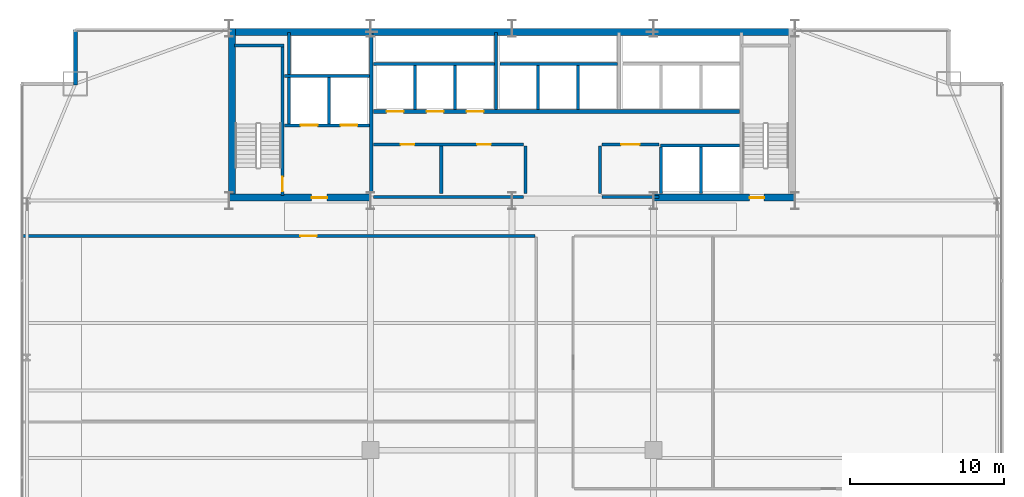
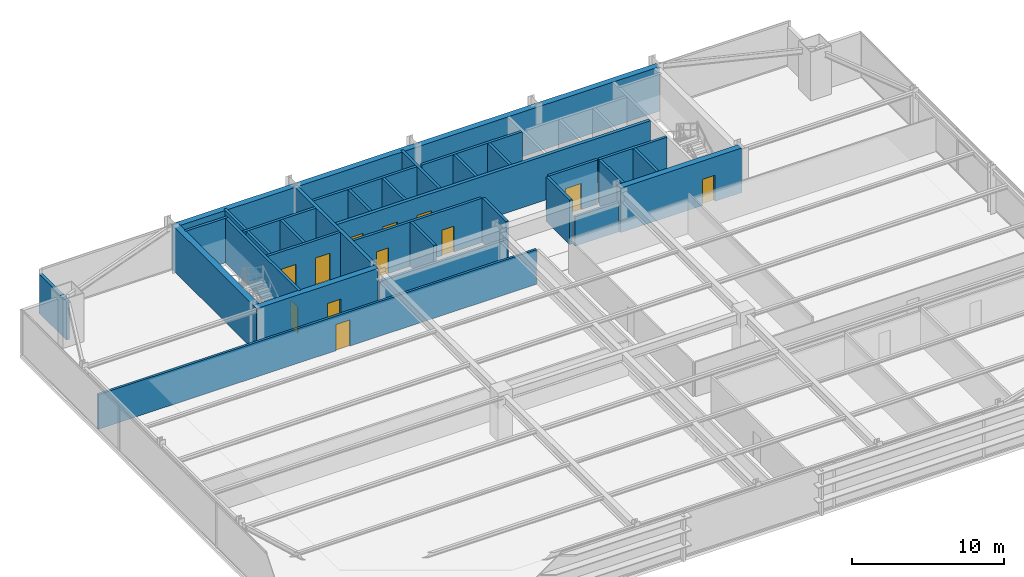
# One storey, part 29 of 32: 31 walls, 12 doors, 12 openings.
"""IFC4 building model written with IfcOpenShell, lengths in metres."""

from ifc_helpers import new_model, si_unit, direction, frame, frame_2d, origin, place, context, subcontext, project, spatial, rectangle, extrude, source, transform, mapped, material, layer, layer_set, type_object, type_shapes, element, fill, save


model = new_model("IFC4")

# Units and contexts
model_context = context("Model", 3, precision=1e-05, world=origin(), true_north=direction((0.0, 1.0)))
body_context = subcontext(model_context, "Body", "Model", "MODEL_VIEW")
ifc_project = project(units=[si_unit("LENGTHUNIT", "METRE"), si_unit("AREAUNIT", "SQUARE_METRE"), si_unit("VOLUMEUNIT", "CUBIC_METRE"), si_unit("PLANEANGLEUNIT", "RADIAN"), si_unit("MASSUNIT", "GRAM", prefix="KILO")], contexts=[model_context])

# Site, building, storey
site_placement = place(None, origin())
site = spatial("IfcSite", under=ifc_project, at=site_placement, CompositionType="ELEMENT")
building_placement = place(site_placement, origin())
building = spatial("IfcBuilding", under=site, at=building_placement, Name="Varnel Quay Broadcast Tower", CompositionType="ELEMENT")
storey_placement = place(building_placement, frame((0.0, 0.0, 78.300048828125)))
storey = spatial("IfcBuildingStorey", under=building, at=storey_placement, Name="L18", CompositionType="ELEMENT", Elevation=78.300048828125)

# Wall, opening, door
ifc_material_1 = material(Name="Concrete CSA A23.3 C50/60", Category="concrete")
ifc_layer_1 = layer(ifc_material_1, 0.199951171875, Name="Concrete CSA A23.3 C50/60")
ifc_layer_set_1 = layer_set([ifc_layer_1], Name="Concrete CSA A23.3 C50/60")
wall_type_1 = type_object("IfcWallType", Name="Wall_CoreShaftShear200", PredefinedType="SHEAR", material=ifc_layer_set_1)
wall_1_placement = place(storey_placement, frame((19.080078125, 35.949951171875, 0.0), z_axis=(0.0, 0.0, 1.0), x_axis=(0.0, 1.0, 0.0)))
wall_1 = element("IfcWall", 1, at=wall_1_placement, inside=storey, type_object=wall_type_1, Name="L18 Stair 1 East Structural Wall", PredefinedType="SHEAR", context=body_context, shape_type="SweptSolid", body=[
    extrude(rectangle(XDim=9.650146484375, YDim=0.199951171875, at=frame_2d((4.8251953125, 0.0))), origin(), (0.0, 0.0, 1.0), 3.579833984375),
])
opening_1_placement = place(wall_1_placement, frame((0.25, 0.0, 0.0)))
opening_1 = element("IfcOpeningElement", 2, at=opening_1_placement, cuts=wall_1, Name="Opening D-L18-S1", PredefinedType="OPENING", context=body_context, shape_type="SweptSolid", body=[
    extrude(rectangle(XDim=0.949951171875, YDim=2.10009765625, at=frame_2d((0.47509765625, 1.050048828125))), frame((0.0, 0.10986328125, 0.0), z_axis=(0.0, -1.0, 0.0), x_axis=(1.0, 0.0, 0.0)), (0.0, 0.0, 1.0), 0.219970703125),
])
ifc_material_2 = material(Name="Insulated Fire-Rated Hollow Steel Door", Category="steel")
door_type_1 = type_object("IfcDoorType", Name="Door_FireStair950", OperationType="NOTDEFINED", PredefinedType="DOOR", material=ifc_material_2)
shared_shape_1 = source(origin(), body_context, "Body", "SweptSolid", [
    extrude(rectangle(XDim=0.949951171875, YDim=2.10009765625, at=frame_2d((0.47509765625, 1.050048828125))), frame((0.0, 0.02490234375, 0.0), z_axis=(0.0, -1.0, 0.0), x_axis=(1.0, 0.0, 0.0)), (0.0, 0.0, 1.0), 0.050048828125),
])
type_shapes(door_type_1, [shared_shape_1])
door_1_placement = place(opening_1_placement, origin())
door_1 = element("IfcDoor", 3, at=door_1_placement, inside=storey, type_object=door_type_1, Name="L18 Stair 1 Fire Door", OperationType="SINGLE_SWING_RIGHT", OverallHeight=2.10009765625, OverallWidth=0.949951171875, PredefinedType="DOOR", context=body_context, shape_type="MappedRepresentation", body=[
    mapped(shared_shape_1, transform((0.0, 0.0, 0.0), x_axis=(1.0, 0.0, 0.0), y_axis=(0.0, 1.0, 0.0), z_axis=(0.0, 0.0, 1.0), scale=1.0)),
])
fill(opening_1, door_1)

# Wall
wall_2_placement = place(storey_placement, frame((15.949951171875, 45.679931640625, 0.0), z_axis=(0.0, 0.0, 1.0), x_axis=(1.0, 0.0, 0.0)))
element("IfcWall", 4, at=wall_2_placement, inside=storey, type_object=wall_type_1, Name="L18 Stair 1 North Structural Wall", PredefinedType="SHEAR", context=body_context, shape_type="SweptSolid", body=[
    extrude(rectangle(XDim=3.22998046875, YDim=0.199951171875, at=frame_2d((1.614990234375, 0.0))), origin(), (0.0, 0.0, 1.0), 3.579833984375),
])

# Wall, openings, doors
wall_3_placement = place(storey_placement, frame((19.199951171875, 40.5, 0.0), z_axis=(0.0, 0.0, 1.0), x_axis=(1.0, 0.0, 0.0)))
wall_3 = element("IfcWall", 5, at=wall_3_placement, inside=storey, type_object=wall_type_1, Name="L18 Firefighter Lift Shaft Front Wall", PredefinedType="SHEAR", context=body_context, shape_type="SweptSolid", body=[
    extrude(rectangle(XDim=5.52001953125, YDim=0.199951171875, at=frame_2d((2.760009765625, 0.0))), origin(), (0.0, 0.0, 1.0), 3.579833984375),
])
opening_2_placement = place(wall_3_placement, frame((1.050048828125, 0.0, 0.0)))
opening_2 = element("IfcOpeningElement", 6, at=opening_2_placement, cuts=wall_3, Name="Opening LD-L18-FE1", PredefinedType="OPENING", context=body_context, shape_type="SweptSolid", body=[
    extrude(rectangle(XDim=1.10009765625, YDim=2.179931640625, at=frame_2d((0.550048828125, 1.08984375))), frame((0.0, 0.10986328125, 0.0), z_axis=(0.0, -1.0, 0.0), x_axis=(1.0, 0.0, 0.0)), (0.0, 0.0, 1.0), 0.219970703125),
])
opening_3_placement = place(wall_3_placement, frame((3.64990234375, 0.0, 0.0)))
opening_3 = element("IfcOpeningElement", 7, at=opening_3_placement, cuts=wall_3, Name="Opening LD-L18-FE2", PredefinedType="OPENING", context=body_context, shape_type="SweptSolid", body=[
    extrude(rectangle(XDim=1.10009765625, YDim=2.179931640625, at=frame_2d((0.550048828125, 1.08984375))), frame((0.0, 0.10986328125, 0.0), z_axis=(0.0, -1.0, 0.0), x_axis=(1.0, 0.0, 0.0)), (0.0, 0.0, 1.0), 0.219970703125),
])
ifc_material_3 = material(Name="Brushed Bronze-Stainless Lift Car & Sliding Doors", Category="steel")
door_type_2 = type_object("IfcDoorType", Name="Door_LiftLanding1100", OperationType="SLIDING_TO_LEFT", PredefinedType="DOOR", material=ifc_material_3)
shared_shape_2 = source(origin(), body_context, "Body", "SweptSolid", [
    extrude(rectangle(XDim=1.10009765625, YDim=2.179931640625, at=frame_2d((0.550048828125, 1.08984375))), frame((0.0, 0.02490234375, 0.0), z_axis=(0.0, -1.0, 0.0), x_axis=(1.0, 0.0, 0.0)), (0.0, 0.0, 1.0), 0.050048828125),
])
type_shapes(door_type_2, [shared_shape_2])
door_2_placement = place(opening_2_placement, frame((1.10009765625, 0.0, 0.0), z_axis=(0.0, 0.0, 1.0), x_axis=(-1.0, 0.0, 0.0)))
door_2 = element("IfcDoor", 8, at=door_2_placement, inside=storey, type_object=door_type_2, Name="L18 Firefighter Lift FE-01 Landing Door", OperationType="SLIDING_TO_LEFT", OverallHeight=2.179931640625, OverallWidth=1.10009765625, PredefinedType="DOOR", context=body_context, shape_type="MappedRepresentation", body=[
    mapped(shared_shape_2, transform((0.0, 0.0, 0.0), x_axis=(1.0, 0.0, 0.0), y_axis=(0.0, 1.0, 0.0), z_axis=(0.0, 0.0, 1.0), scale=1.0)),
])
fill(opening_2, door_2)
door_3_placement = place(opening_3_placement, frame((1.10009765625, 0.0, 0.0), z_axis=(0.0, 0.0, 1.0), x_axis=(-1.0, 0.0, 0.0)))
door_3 = element("IfcDoor", 9, at=door_3_placement, inside=storey, type_object=door_type_2, Name="L18 Firefighter Lift FE-02 Landing Door", OperationType="SLIDING_TO_RIGHT", OverallHeight=2.179931640625, OverallWidth=1.10009765625, PredefinedType="DOOR", context=body_context, shape_type="MappedRepresentation", body=[
    mapped(shared_shape_2, transform((0.0, 0.0, 0.0), x_axis=(1.0, 0.0, 0.0), y_axis=(0.0, 1.0, 0.0), z_axis=(0.0, 0.0, 1.0), scale=1.0)),
])
fill(opening_3, door_3)

# Walls
wall_4_placement = place(storey_placement, frame((19.199951171875, 43.699951171875, 0.0), z_axis=(0.0, 0.0, 1.0), x_axis=(1.0, 0.0, 0.0)))
element("IfcWall", 10, at=wall_4_placement, inside=storey, type_object=wall_type_1, Name="L18 Firefighter Lift Shaft Rear Wall", PredefinedType="SHEAR", context=body_context, shape_type="SweptSolid", body=[
    extrude(rectangle(XDim=5.52001953125, YDim=0.199951171875, at=frame_2d((2.760009765625, 0.0))), origin(), (0.0, 0.0, 1.0), 3.579833984375),
])
wall_5_placement = place(storey_placement, frame((22.10009765625, 40.60009765625, 0.0), z_axis=(0.0, 0.0, 1.0), x_axis=(0.0, 1.0, 0.0)))
element("IfcWall", 11, at=wall_5_placement, inside=storey, type_object=wall_type_1, Name="L18 Firefighter Lift Shaft Divider", PredefinedType="SHEAR", context=body_context, shape_type="SweptSolid", body=[
    extrude(rectangle(XDim=3.0, YDim=0.199951171875, at=frame_2d((1.5, 0.0))), origin(), (0.0, 0.0, 1.0), 3.579833984375),
])
wall_6_placement = place(storey_placement, frame((19.5, 40.60009765625, 0.0), z_axis=(0.0, 0.0, 1.0), x_axis=(0.0, 1.0, 0.0)))
element("IfcWall", 12, at=wall_6_placement, inside=storey, type_object=wall_type_1, Name="L18 Firefighter Lift Shaft West Wall", PredefinedType="SHEAR", context=body_context, shape_type="SweptSolid", body=[
    extrude(rectangle(XDim=5.949951171875, YDim=0.199951171875, at=frame_2d((2.97509765625, 0.0))), origin(), (0.0, 0.0, 1.0), 3.579833984375),
])
wall_7_placement = place(storey_placement, frame((24.97998046875, 44.5, 0.0), z_axis=(0.0, 0.0, 1.0), x_axis=(1.0, 0.0, 0.0)))
element("IfcWall", 13, at=wall_7_placement, inside=storey, type_object=wall_type_1, Name="L18 Low-Rise Lift Shaft Rear Wall", PredefinedType="SHEAR", context=body_context, shape_type="SweptSolid", body=[
    extrude(rectangle(XDim=7.8701171875, YDim=0.199951171875, at=frame_2d((3.93505859375, 0.0))), origin(), (0.0, 0.0, 1.0), 3.579833984375),
])
for number, where, z_axis, x_axis, name in (
    (14, (27.699951171875, 41.530029296875, 0.0), (0.0, 0.0, 1.0), (0.0, 1.0, 0.0), "L18 Low-Rise Lift Shaft Divider 1"),
    (15, (30.300048828125, 41.530029296875, 0.0), (0.0, 0.0, 1.0), (0.0, 1.0, 0.0), "L18 Low-Rise Lift Shaft Divider 2"),
):
    element("IfcWall", number, at=place(storey_placement, frame(where, z_axis=z_axis, x_axis=x_axis)), inside=storey, type_object=wall_type_1, Name=name, PredefinedType="SHEAR", context=body_context, shape_type="SweptSolid", body=[
        extrude(rectangle(XDim=2.869873046875, YDim=0.199951171875, at=frame_2d((1.43505859375, 0.0))), origin(), (0.0, 0.0, 1.0), 3.579833984375),
    ])
wall_8_placement = place(storey_placement, frame((32.949951171875, 41.530029296875, 0.0), z_axis=(0.0, 0.0, 1.0), x_axis=(0.0, 1.0, 0.0)))
element("IfcWall", 16, at=wall_8_placement, inside=storey, type_object=wall_type_1, Name="L18 Low-Rise Lift Shaft Divider 3", PredefinedType="SHEAR", context=body_context, shape_type="SweptSolid", body=[
    extrude(rectangle(XDim=5.02001953125, YDim=0.199951171875, at=frame_2d((2.510009765625, 0.0))), origin(), (0.0, 0.0, 1.0), 3.579833984375),
])
wall_9_placement = place(storey_placement, frame((33.219970703125, 44.5, 0.0), z_axis=(0.0, 0.0, 1.0), x_axis=(1.0, 0.0, 0.0)))
element("IfcWall", 17, at=wall_9_placement, inside=storey, type_object=wall_type_1, Name="L18 Mid-Rise Lift Shaft Rear Wall", PredefinedType="SHEAR", context=body_context, shape_type="SweptSolid", body=[
    extrude(rectangle(XDim=7.630126953125, YDim=0.199951171875, at=frame_2d((3.81494140625, 0.0))), origin(), (0.0, 0.0, 1.0), 3.579833984375),
])
for number, where, z_axis, x_axis, name in (
    (18, (35.699951171875, 41.530029296875, 0.0), (0.0, 0.0, 1.0), (0.0, 1.0, 0.0), "L18 Mid-Rise Lift Shaft Divider 2"),
    (19, (38.300048828125, 41.530029296875, 0.0), (0.0, 0.0, 1.0), (0.0, 1.0, 0.0), "L18 Mid-Rise Lift Shaft Divider 3"),
):
    element("IfcWall", number, at=place(storey_placement, frame(where, z_axis=z_axis, x_axis=x_axis)), inside=storey, type_object=wall_type_1, Name=name, PredefinedType="SHEAR", context=body_context, shape_type="SweptSolid", body=[
        extrude(rectangle(XDim=2.869873046875, YDim=0.199951171875, at=frame_2d((1.43505859375, 0.0))), origin(), (0.0, 0.0, 1.0), 3.579833984375),
    ])
for number, where, z_axis, x_axis, name in (
    (20, (43.699951171875, 36.050048828125, 0.0), (0.0, 0.0, 1.0), (0.0, 1.0, 0.0), "L18 Express Lift Shaft West Wall"),
    (21, (46.300048828125, 36.050048828125, 0.0), (0.0, 0.0, 1.0), (0.0, 1.0, 0.0), "L18 Express Lift Shaft Divider"),
):
    element("IfcWall", number, at=place(storey_placement, frame(where, z_axis=z_axis, x_axis=x_axis)), inside=storey, type_object=wall_type_1, Name=name, PredefinedType="SHEAR", context=body_context, shape_type="SweptSolid", body=[
        extrude(rectangle(XDim=3.050048828125, YDim=0.199951171875, at=frame_2d((1.52490234375, 0.0))), origin(), (0.0, 0.0, 1.0), 3.579833984375),
    ])
wall_10_placement = place(storey_placement, frame((43.64990234375, 39.199951171875, 0.0), z_axis=(0.0, 0.0, 1.0), x_axis=(1.0, 0.0, 0.0)))
element("IfcWall", 22, at=wall_10_placement, inside=storey, type_object=wall_type_1, Name="L18 Express Lift Shaft North Front Wall", PredefinedType="SHEAR", context=body_context, shape_type="SweptSolid", body=[
    extrude(rectangle(XDim=5.150146484375, YDim=0.199951171875, at=frame_2d((2.5751953125, 0.0))), origin(), (0.0, 0.0, 1.0), 3.579833984375),
])
ifc_layer_2 = layer(ifc_material_1, 0.25, Name="Concrete CSA A23.3 C50/60")
ifc_layer_set_2 = layer_set([ifc_layer_2], Name="Concrete CSA A23.3 C50/60")
wall_type_2 = type_object("IfcWallType", Name="Wall_CoreShaftShear250", PredefinedType="SHEAR", material=ifc_layer_set_2)
wall_11_placement = place(storey_placement, frame((24.85009765625, 36.050048828125, 0.0), z_axis=(0.0, 0.0, 1.0), x_axis=(0.0, 1.0, 0.0)))
element("IfcWall", 23, at=wall_11_placement, inside=storey, type_object=wall_type_2, Name="L18 Firefighting Lobby East Structural Wall", PredefinedType="SHEAR", context=body_context, shape_type="SweptSolid", body=[
    extrude(rectangle(XDim=10.449951171875, YDim=0.25, at=frame_2d((5.22509765625, 0.0))), origin(), (0.0, 0.0, 1.0), 3.579833984375),
])

# Wall, openings, doors
wall_12_placement = place(storey_placement, frame((24.97998046875, 41.39990234375, 0.0), z_axis=(0.0, 0.0, 1.0), x_axis=(1.0, 0.0, 0.0)))
wall_12 = element("IfcWall", 24, at=wall_12_placement, inside=storey, type_object=wall_type_2, Name="L18 North Lift Bank & Reclaimed Suite Wall", PredefinedType="SHEAR", context=body_context, shape_type="SweptSolid", body=[
    extrude(rectangle(XDim=23.820068359375, YDim=0.25, at=frame_2d((11.91015625, 0.0))), origin(), (0.0, 0.0, 1.0), 3.579833984375),
])
opening_4_placement = place(wall_12_placement, frame((0.8701171875, 0.0, 0.0)))
opening_4 = element("IfcOpeningElement", 25, at=opening_4_placement, cuts=wall_12, Name="Opening LD-L18-PL-01", PredefinedType="OPENING", context=body_context, shape_type="SweptSolid", body=[
    extrude(rectangle(XDim=1.10009765625, YDim=2.179931640625, at=frame_2d((0.550048828125, 1.08984375))), frame((0.0, 0.135009765625, 0.0), z_axis=(0.0, -1.0, 0.0), x_axis=(1.0, 0.0, 0.0)), (0.0, 0.0, 1.0), 0.27001953125),
])
opening_5_placement = place(wall_12_placement, frame((3.469970703125, 0.0, 0.0)))
opening_5 = element("IfcOpeningElement", 26, at=opening_5_placement, cuts=wall_12, Name="Opening LD-L18-PL-02", PredefinedType="OPENING", context=body_context, shape_type="SweptSolid", body=[
    extrude(rectangle(XDim=1.10009765625, YDim=2.179931640625, at=frame_2d((0.550048828125, 1.08984375))), frame((0.0, 0.135009765625, 0.0), z_axis=(0.0, -1.0, 0.0), x_axis=(1.0, 0.0, 0.0)), (0.0, 0.0, 1.0), 0.27001953125),
])
opening_6_placement = place(wall_12_placement, frame((6.070068359375, 0.0, 0.0)))
opening_6 = element("IfcOpeningElement", 27, at=opening_6_placement, cuts=wall_12, Name="Opening LD-L18-PL-03", PredefinedType="OPENING", context=body_context, shape_type="SweptSolid", body=[
    extrude(rectangle(XDim=1.10009765625, YDim=2.179931640625, at=frame_2d((0.550048828125, 1.08984375))), frame((0.0, 0.135009765625, 0.0), z_axis=(0.0, -1.0, 0.0), x_axis=(1.0, 0.0, 0.0)), (0.0, 0.0, 1.0), 0.27001953125),
])
door_4_placement = place(opening_4_placement, frame((1.10009765625, 0.0, 0.0), z_axis=(0.0, 0.0, 1.0), x_axis=(-1.0, 0.0, 0.0)))
door_4 = element("IfcDoor", 28, at=door_4_placement, inside=storey, type_object=door_type_2, Name="L18 Lift PL-01 Landing Door", OperationType="SLIDING_TO_LEFT", OverallHeight=2.179931640625, OverallWidth=1.10009765625, PredefinedType="DOOR", context=body_context, shape_type="MappedRepresentation", body=[
    mapped(shared_shape_2, transform((0.0, 0.0, 0.0), x_axis=(1.0, 0.0, 0.0), y_axis=(0.0, 1.0, 0.0), z_axis=(0.0, 0.0, 1.0), scale=1.0)),
])
fill(opening_4, door_4)
door_5_placement = place(opening_5_placement, frame((1.10009765625, 0.0, 0.0), z_axis=(0.0, 0.0, 1.0), x_axis=(-1.0, 0.0, 0.0)))
door_5 = element("IfcDoor", 29, at=door_5_placement, inside=storey, type_object=door_type_2, Name="L18 Lift PL-02 Landing Door", OperationType="SLIDING_TO_LEFT", OverallHeight=2.179931640625, OverallWidth=1.10009765625, PredefinedType="DOOR", context=body_context, shape_type="MappedRepresentation", body=[
    mapped(shared_shape_2, transform((0.0, 0.0, 0.0), x_axis=(1.0, 0.0, 0.0), y_axis=(0.0, 1.0, 0.0), z_axis=(0.0, 0.0, 1.0), scale=1.0)),
])
fill(opening_5, door_5)
door_6_placement = place(opening_6_placement, frame((1.10009765625, 0.0, 0.0), z_axis=(0.0, 0.0, 1.0), x_axis=(-1.0, 0.0, 0.0)))
door_6 = element("IfcDoor", 30, at=door_6_placement, inside=storey, type_object=door_type_2, Name="L18 Lift PL-03 Landing Door", OperationType="SLIDING_TO_LEFT", OverallHeight=2.179931640625, OverallWidth=1.10009765625, PredefinedType="DOOR", context=body_context, shape_type="MappedRepresentation", body=[
    mapped(shared_shape_2, transform((0.0, 0.0, 0.0), x_axis=(1.0, 0.0, 0.0), y_axis=(0.0, 1.0, 0.0), z_axis=(0.0, 0.0, 1.0), scale=1.0)),
])
fill(opening_6, door_6)

# Walls
ifc_material_4 = material(Name="Concrete CSA A23.3 C60/75", Category="concrete")
ifc_layer_3 = layer(ifc_material_4, 0.449951171875, Name="Concrete CSA A23.3 C60/75")
ifc_layer_set_3 = layer_set([ifc_layer_3], Name="Concrete CSA A23.3 C60/75")
wall_type_3 = type_object("IfcWallType", Name="Wall_CoreShearExt450", PredefinedType="SHEAR", material=ifc_layer_set_3)
wall_13_placement = place(storey_placement, frame((15.60009765625, 46.574951171875, 0.0), z_axis=(0.0, 0.0, 1.0), x_axis=(1.0, 0.0, 0.0)))
element("IfcWall", 31, at=wall_13_placement, inside=storey, type_object=wall_type_3, Name="L18 North Core Shear Wall", PredefinedType="SHEAR", context=body_context, shape_type="SweptSolid", body=[
    extrude(rectangle(XDim=36.7998046875, YDim=0.449951171875, at=frame_2d((18.39990234375, 0.0))), origin(), (0.0, 0.0, 1.0), 3.579833984375),
])
ifc_layer_4 = layer(ifc_material_4, 0.449951171875, Name="Concrete CSA A23.3 C60/75")
ifc_layer_set_4 = layer_set([ifc_layer_4], Name="Concrete CSA A23.3 C60/75")
wall_type_4 = type_object("IfcWallType", Name="Wall_CoreShearInt450", PredefinedType="SHEAR", material=ifc_layer_set_4)
wall_14_placement = place(storey_placement, frame((15.794921875, 35.570068359375, 0.0), z_axis=(0.0, 0.0, 1.0), x_axis=(0.0, 1.0, 0.0)))
element("IfcWall", 32, at=wall_14_placement, inside=storey, type_object=wall_type_4, Name="L18 West Core Shear Wall", PredefinedType="SHEAR", context=body_context, shape_type="SweptSolid", body=[
    extrude(rectangle(XDim=11.22998046875, YDim=0.449951171875, at=frame_2d((5.614990234375, 0.0))), origin(), (0.0, 0.0, 1.0), 3.579833984375),
])

# Wall, opening, door
wall_15_placement = place(storey_placement, frame((15.570068359375, 35.794921875, 0.0), z_axis=(0.0, 0.0, 1.0), x_axis=(1.0, 0.0, 0.0)))
wall_15 = element("IfcWall", 33, at=wall_15_placement, inside=storey, type_object=wall_type_4, Name="L18 South-West Core Shear Wall", PredefinedType="SHEAR", context=body_context, shape_type="SweptSolid", body=[
    extrude(rectangle(XDim=9.22998046875, YDim=0.449951171875, at=frame_2d((4.614990234375, 0.0))), origin(), (0.0, 0.0, 1.0), 3.579833984375),
])
opening_7_placement = place(wall_15_placement, frame((5.39990234375, 0.0, 0.0)))
opening_7 = element("IfcOpeningElement", 34, at=opening_7_placement, cuts=wall_15, Name="Opening D-L18-FFL", PredefinedType="OPENING", context=body_context, shape_type="SweptSolid", body=[
    extrude(rectangle(XDim=1.0, YDim=2.10009765625, at=frame_2d((0.5, 1.050048828125))), frame((0.0, 0.23486328125, 0.0), z_axis=(0.0, -1.0, 0.0), x_axis=(1.0, 0.0, 0.0)), (0.0, 0.0, 1.0), 0.469970703125),
])
door_type_3 = type_object("IfcDoorType", Name="Door_FireLobby1000", OperationType="NOTDEFINED", PredefinedType="DOOR", material=ifc_material_2)
shared_shape_3 = source(origin(), body_context, "Body", "SweptSolid", [
    extrude(rectangle(XDim=1.0, YDim=2.10009765625, at=frame_2d((0.5, 1.050048828125))), frame((0.0, 0.02490234375, 0.0), z_axis=(0.0, -1.0, 0.0), x_axis=(1.0, 0.0, 0.0)), (0.0, 0.0, 1.0), 0.050048828125),
])
type_shapes(door_type_3, [shared_shape_3])
door_7_placement = place(opening_7_placement, origin())
door_7 = element("IfcDoor", 35, at=door_7_placement, inside=storey, type_object=door_type_3, Name="L18 Firefighting Lobby Door", OperationType="SINGLE_SWING_LEFT", OverallHeight=2.10009765625, OverallWidth=1.0, PredefinedType="DOOR", context=body_context, shape_type="MappedRepresentation", body=[
    mapped(shared_shape_3, transform((0.0, 0.0, 0.0), x_axis=(1.0, 0.0, 0.0), y_axis=(0.0, 1.0, 0.0), z_axis=(0.0, 0.0, 1.0), scale=1.0)),
])
fill(opening_7, door_7)

wall_16_placement = place(storey_placement, frame((43.199951171875, 35.794921875, 0.0), z_axis=(0.0, 0.0, 1.0), x_axis=(1.0, 0.0, 0.0)))
wall_16 = element("IfcWall", 36, at=wall_16_placement, inside=storey, type_object=wall_type_4, Name="L18 South-East Core Shear Wall", PredefinedType="SHEAR", context=body_context, shape_type="SweptSolid", body=[
    extrude(rectangle(XDim=9.22998046875, YDim=0.449951171875, at=frame_2d((4.614990234375, 0.0))), origin(), (0.0, 0.0, 1.0), 3.579833984375),
])
opening_8_placement = place(wall_16_placement, frame((6.25, 0.0, 0.0)))
opening_8 = element("IfcOpeningElement", 37, at=opening_8_placement, cuts=wall_16, Name="Opening D-L18-S2", PredefinedType="OPENING", context=body_context, shape_type="SweptSolid", body=[
    extrude(rectangle(XDim=0.949951171875, YDim=2.10009765625, at=frame_2d((0.47509765625, 1.050048828125))), frame((0.0, 0.23486328125, 0.0), z_axis=(0.0, -1.0, 0.0), x_axis=(1.0, 0.0, 0.0)), (0.0, 0.0, 1.0), 0.469970703125),
])
door_8_placement = place(opening_8_placement, origin())
door_8 = element("IfcDoor", 38, at=door_8_placement, inside=storey, type_object=door_type_1, Name="L18 Stair 2 Fire Door", OperationType="SINGLE_SWING_RIGHT", OverallHeight=2.10009765625, OverallWidth=0.949951171875, PredefinedType="DOOR", context=body_context, shape_type="MappedRepresentation", body=[
    mapped(shared_shape_1, transform((0.0, 0.0, 0.0), x_axis=(1.0, 0.0, 0.0), y_axis=(0.0, 1.0, 0.0), z_axis=(0.0, 0.0, 1.0), scale=1.0)),
])
fill(opening_8, door_8)

# Walls
ifc_material_5 = material(Name="Precast Architectural Concrete C40/50", Category="concrete")
ifc_layer_5 = layer(ifc_material_5, 0.25, Name="Precast Architectural Concrete C40/50")
ifc_layer_set_5 = layer_set([ifc_layer_5], Name="Precast Architectural Concrete C40/50")
wall_type_5 = type_object("IfcWallType", Name="Wall_ExtTerrace250", PredefinedType="SOLIDWALL", material=ifc_layer_set_5)
wall_17_placement = place(storey_placement, frame((5.60009765625, 43.1201171875, 0.0), z_axis=(0.0, 0.0, 1.0), x_axis=(0.0, 1.0, 0.0)))
element("IfcWall", 39, at=wall_17_placement, inside=storey, type_object=wall_type_5, Name="L18 Mega-Column Notch Cladding Wall NNW2", PredefinedType="SOLIDWALL", context=body_context, shape_type="SweptSolid", body=[
    extrude(rectangle(XDim=3.599853515625, YDim=0.25, at=frame_2d((1.7998046875, 0.0))), origin(), (0.0, 0.0, 1.0), 3.137939453125),
])
ifc_material_6 = material(Name="Concrete Blockwork Fire Enclosure C40/50", Category="masonry")
ifc_layer_6 = layer(ifc_material_6, 0.199951171875, Name="Concrete Blockwork Fire Enclosure C40/50")
ifc_layer_set_6 = layer_set([ifc_layer_6], Name="Concrete Blockwork Fire Enclosure C40/50")
wall_type_6 = type_object("IfcWallType", Name="Wall_FireShaft200", PredefinedType="SOLIDWALL", material=ifc_layer_set_6)
wall_18_placement = place(storey_placement, frame((39.85009765625, 35.824951171875, 0.0), z_axis=(0.0, 0.0, 1.0), x_axis=(1.0, 0.0, 0.0)))
element("IfcWall", 40, at=wall_18_placement, inside=storey, type_object=wall_type_6, Name="L18 Electrical Sub-Distribution Closet Partition 5", PredefinedType="SOLIDWALL", context=body_context, shape_type="SweptSolid", body=[
    extrude(rectangle(XDim=3.699951171875, YDim=0.199951171875, at=frame_2d((1.85009765625, 0.0))), origin(), (0.0, 0.0, 1.0), 2.35498046875),
])

# Wall, opening, door
wall_19_placement = place(storey_placement, frame((39.85009765625, 39.25, 0.0), z_axis=(0.0, 0.0, 1.0), x_axis=(1.0, 0.0, 0.0)))
wall_19 = element("IfcWall", 41, at=wall_19_placement, inside=storey, type_object=wall_type_6, Name="L18 Electrical Sub-Distribution Closet Partition 6", PredefinedType="SOLIDWALL", context=body_context, shape_type="SweptSolid", body=[
    extrude(rectangle(XDim=3.699951171875, YDim=0.199951171875, at=frame_2d((1.85009765625, 0.0))), origin(), (0.0, 0.0, 1.0), 3.56005859375),
])
opening_9_placement = place(wall_19_placement, frame((1.25, 0.0, 0.0)))
opening_9 = element("IfcOpeningElement", 42, at=opening_9_placement, cuts=wall_19, Name="Opening D-L18-03", PredefinedType="OPENING", context=body_context, shape_type="SweptSolid", body=[
    extrude(rectangle(XDim=1.199951171875, YDim=2.10009765625, at=frame_2d((0.60009765625, 1.050048828125))), frame((0.0, 0.10986328125, 0.0), z_axis=(0.0, -1.0, 0.0), x_axis=(1.0, 0.0, 0.0)), (0.0, 0.0, 1.0), 0.219970703125),
])
door_type_4 = type_object("IfcDoorType", Name="Door_Plant1200", OperationType="NOTDEFINED", PredefinedType="DOOR", material=ifc_material_2)
shared_shape_4 = source(origin(), body_context, "Body", "SweptSolid", [
    extrude(rectangle(XDim=1.199951171875, YDim=2.10009765625, at=frame_2d((0.60009765625, 1.050048828125))), frame((0.0, 0.02490234375, 0.0), z_axis=(0.0, -1.0, 0.0), x_axis=(1.0, 0.0, 0.0)), (0.0, 0.0, 1.0), 0.050048828125),
])
type_shapes(door_type_4, [shared_shape_4])
door_9_placement = place(opening_9_placement, origin())
door_9 = element("IfcDoor", 43, at=door_9_placement, inside=storey, type_object=door_type_4, Name="L18 Electrical Sub-Distribution Closet Door D-L18-03", OperationType="SINGLE_SWING_LEFT", OverallHeight=2.10009765625, OverallWidth=1.199951171875, PredefinedType="DOOR", context=body_context, shape_type="MappedRepresentation", body=[
    mapped(shared_shape_4, transform((0.0, 0.0, 0.0), x_axis=(1.0, 0.0, 0.0), y_axis=(0.0, 1.0, 0.0), z_axis=(0.0, 0.0, 1.0), scale=1.0)),
])
fill(opening_9, door_9)

# Wall
wall_20_placement = place(storey_placement, frame((39.72509765625, 36.050048828125, 0.0), z_axis=(0.0, 0.0, 1.0), x_axis=(0.0, 1.0, 0.0)))
element("IfcWall", 44, at=wall_20_placement, inside=storey, type_object=wall_type_6, Name="L18 Electrical Sub-Distribution Closet Partition 7", PredefinedType="SOLIDWALL", context=body_context, shape_type="SweptSolid", body=[
    extrude(rectangle(XDim=3.099853515625, YDim=0.199951171875, at=frame_2d((1.5498046875, 0.0))), origin(), (0.0, 0.0, 1.0), 3.56005859375),
])

# Wall, opening, door
ifc_material_7 = material(Name="Steel-Stud Fire-Rated Acoustic Gypsum Partition Assembly", Category="steel")
ifc_layer_7 = layer(ifc_material_7, 0.175048828125, Name="Steel-Stud Fire-Rated Acoustic Gypsum Partition Assembly")
ifc_layer_set_7 = layer_set([ifc_layer_7], Name="Steel-Stud Fire-Rated Acoustic Gypsum Partition Assembly")
wall_type_7 = type_object("IfcWallType", Name="Wall_Partition175", PredefinedType="PARTITIONING", material=ifc_layer_set_7)
wall_21_placement = place(storey_placement, frame((2.179931640625, 33.300048828125, 0.0), z_axis=(0.0, 0.0, 1.0), x_axis=(1.0, 0.0, 0.0)))
wall_21 = element("IfcWall", 45, at=wall_21_placement, inside=storey, type_object=wall_type_7, Name="L18 Screening Meeting Room 2 Partition 10", PredefinedType="PARTITIONING", context=body_context, shape_type="SweptSolid", body=[
    extrude(rectangle(XDim=33.300048828125, YDim=0.175048828125, at=frame_2d((16.64990234375, 0.0))), origin(), (0.0, 0.0, 1.0), 2.781982421875),
])
opening_10_placement = place(wall_21_placement, frame((18.06005859375, 0.0, 0.0)))
opening_10 = element("IfcOpeningElement", 46, at=opening_10_placement, cuts=wall_21, Name="Opening D-L18-05", PredefinedType="OPENING", context=body_context, shape_type="SweptSolid", body=[
    extrude(rectangle(XDim=1.050048828125, YDim=2.10009765625, at=frame_2d((0.52490234375, 1.050048828125))), frame((0.0, 0.09765625, 0.0), z_axis=(0.0, -1.0, 0.0), x_axis=(1.0, 0.0, 0.0)), (0.0, 0.0, 1.0), 0.195068359375),
])
ifc_material_8 = material(Name="Solid-Core Fire-Rated Acoustic Oak Veneer Door", Category="wood")
door_type_5 = type_object("IfcDoorType", Name="Door_Meeting1050", OperationType="NOTDEFINED", PredefinedType="DOOR", material=ifc_material_8)
shared_shape_5 = source(origin(), body_context, "Body", "SweptSolid", [
    extrude(rectangle(XDim=1.050048828125, YDim=2.10009765625, at=frame_2d((0.52490234375, 1.050048828125))), frame((0.0, 0.02490234375, 0.0), z_axis=(0.0, -1.0, 0.0), x_axis=(1.0, 0.0, 0.0)), (0.0, 0.0, 1.0), 0.050048828125),
])
type_shapes(door_type_5, [shared_shape_5])
door_10_placement = place(opening_10_placement, frame((1.050048828125, 0.0, 0.0), z_axis=(0.0, 0.0, 1.0), x_axis=(-1.0, 0.0, 0.0)))
door_10 = element("IfcDoor", 47, at=door_10_placement, inside=storey, type_object=door_type_5, Name="L18 Screening Meeting Room 2 Door D-L18-05", OperationType="SINGLE_SWING_LEFT", OverallHeight=2.10009765625, OverallWidth=1.050048828125, PredefinedType="DOOR", context=body_context, shape_type="MappedRepresentation", body=[
    mapped(shared_shape_5, transform((0.0, 0.0, 0.0), x_axis=(1.0, 0.0, 0.0), y_axis=(0.0, 1.0, 0.0), z_axis=(0.0, 0.0, 1.0), scale=1.0)),
])
fill(opening_10, door_10)

# Walls
ifc_material_9 = material(Name="Fire-Rated Moisture-Resistant Plumbing Chase Partition")
ifc_layer_8 = layer(ifc_material_9, 0.199951171875, Name="Fire-Rated Moisture-Resistant Plumbing Chase Partition")
ifc_layer_set_8 = layer_set([ifc_layer_8], Name="Fire-Rated Moisture-Resistant Plumbing Chase Partition")
wall_type_8 = type_object("IfcWallType", Name="Wall_Plumbing200", PredefinedType="PLUMBINGWALL", material=ifc_layer_set_8)
wall_22_placement = place(storey_placement, frame((25.0, 35.824951171875, 0.0), z_axis=(0.0, 0.0, 1.0), x_axis=(1.0, 0.0, 0.0)))
element("IfcWall", 48, at=wall_22_placement, inside=storey, type_object=wall_type_8, Name="L18 Accessible Washroom Partition 1", PredefinedType="PLUMBINGWALL", context=body_context, shape_type="SweptSolid", body=[
    extrude(rectangle(XDim=9.75, YDim=0.199951171875, at=frame_2d((4.875, 0.0))), origin(), (0.0, 0.0, 1.0), 2.35498046875),
])
wall_23_placement = place(storey_placement, frame((29.39990234375, 36.050048828125, 0.0), z_axis=(0.0, 0.0, 1.0), x_axis=(0.0, 1.0, 0.0)))
element("IfcWall", 49, at=wall_23_placement, inside=storey, type_object=wall_type_8, Name="L18 Accessible Washroom Partition 2", PredefinedType="PLUMBINGWALL", context=body_context, shape_type="SweptSolid", body=[
    extrude(rectangle(XDim=3.099853515625, YDim=0.199951171875, at=frame_2d((1.5498046875, 0.0))), origin(), (0.0, 0.0, 1.0), 3.56005859375),
])

# Wall, openings, doors
wall_24_placement = place(storey_placement, frame((25.0, 39.25, 0.0), z_axis=(0.0, 0.0, 1.0), x_axis=(1.0, 0.0, 0.0)))
wall_24 = element("IfcWall", 50, at=wall_24_placement, inside=storey, type_object=wall_type_8, Name="L18 Accessible Washroom Partition 3", PredefinedType="PLUMBINGWALL", context=body_context, shape_type="SweptSolid", body=[
    extrude(rectangle(XDim=9.75, YDim=0.199951171875, at=frame_2d((4.875, 0.0))), origin(), (0.0, 0.0, 1.0), 3.56005859375),
])
opening_11_placement = place(wall_24_placement, frame((1.75, 0.0, 0.0)))
opening_11 = element("IfcOpeningElement", 51, at=opening_11_placement, cuts=wall_24, Name="Opening D-L18-01", PredefinedType="OPENING", context=body_context, shape_type="SweptSolid", body=[
    extrude(rectangle(XDim=0.89990234375, YDim=2.06005859375, at=frame_2d((0.449951171875, 1.030029296875))), frame((0.0, 0.10986328125, 0.0), z_axis=(0.0, -1.0, 0.0), x_axis=(1.0, 0.0, 0.0)), (0.0, 0.0, 1.0), 0.219970703125),
])
opening_12_placement = place(wall_24_placement, frame((6.72509765625, 0.0, 0.0)))
opening_12 = element("IfcOpeningElement", 52, at=opening_12_placement, cuts=wall_24, Name="Opening D-L18-02", PredefinedType="OPENING", context=body_context, shape_type="SweptSolid", body=[
    extrude(rectangle(XDim=0.89990234375, YDim=2.06005859375, at=frame_2d((0.449951171875, 1.030029296875))), frame((0.0, 0.10986328125, 0.0), z_axis=(0.0, -1.0, 0.0), x_axis=(1.0, 0.0, 0.0)), (0.0, 0.0, 1.0), 0.219970703125),
])
door_type_6 = type_object("IfcDoorType", Name="Door_Washroom900", OperationType="NOTDEFINED", PredefinedType="DOOR", material=ifc_material_8)
shared_shape_6 = source(origin(), body_context, "Body", "SweptSolid", [
    extrude(rectangle(XDim=0.89990234375, YDim=2.06005859375, at=frame_2d((0.449951171875, 1.030029296875))), frame((0.0, 0.02490234375, 0.0), z_axis=(0.0, -1.0, 0.0), x_axis=(1.0, 0.0, 0.0)), (0.0, 0.0, 1.0), 0.050048828125),
])
type_shapes(door_type_6, [shared_shape_6])
door_11_placement = place(opening_11_placement, frame((0.89990234375, 0.0, 0.0), z_axis=(0.0, 0.0, 1.0), x_axis=(-1.0, 0.0, 0.0)))
door_11 = element("IfcDoor", 53, at=door_11_placement, inside=storey, type_object=door_type_6, Name="L18 Accessible Washroom Door D-L18-01", OperationType="SINGLE_SWING_LEFT", OverallHeight=2.06005859375, OverallWidth=0.89990234375, PredefinedType="DOOR", context=body_context, shape_type="MappedRepresentation", body=[
    mapped(shared_shape_6, transform((0.0, 0.0, 0.0), x_axis=(1.0, 0.0, 0.0), y_axis=(0.0, 1.0, 0.0), z_axis=(0.0, 0.0, 1.0), scale=1.0)),
])
fill(opening_11, door_11)
door_12_placement = place(opening_12_placement, frame((0.89990234375, 0.0, 0.0), z_axis=(0.0, 0.0, 1.0), x_axis=(-1.0, 0.0, 0.0)))
door_12 = element("IfcDoor", 54, at=door_12_placement, inside=storey, type_object=door_type_6, Name="L18 Staff Washrooms Door D-L18-02", OperationType="SINGLE_SWING_RIGHT", OverallHeight=2.06005859375, OverallWidth=0.89990234375, PredefinedType="DOOR", context=body_context, shape_type="MappedRepresentation", body=[
    mapped(shared_shape_6, transform((0.0, 0.0, 0.0), x_axis=(1.0, 0.0, 0.0), y_axis=(0.0, 1.0, 0.0), z_axis=(0.0, 0.0, 1.0), scale=1.0)),
])
fill(opening_12, door_12)

# Wall
wall_25_placement = place(storey_placement, frame((34.875, 36.050048828125, 0.0), z_axis=(0.0, 0.0, 1.0), x_axis=(0.0, 1.0, 0.0)))
element("IfcWall", 55, at=wall_25_placement, inside=storey, type_object=wall_type_8, Name="L18 Staff Washrooms Partition 4", PredefinedType="PLUMBINGWALL", context=body_context, shape_type="SweptSolid", body=[
    extrude(rectangle(XDim=3.099853515625, YDim=0.199951171875, at=frame_2d((1.5498046875, 0.0))), origin(), (0.0, 0.0, 1.0), 3.56005859375),
])

save(model, "model.ifc")
